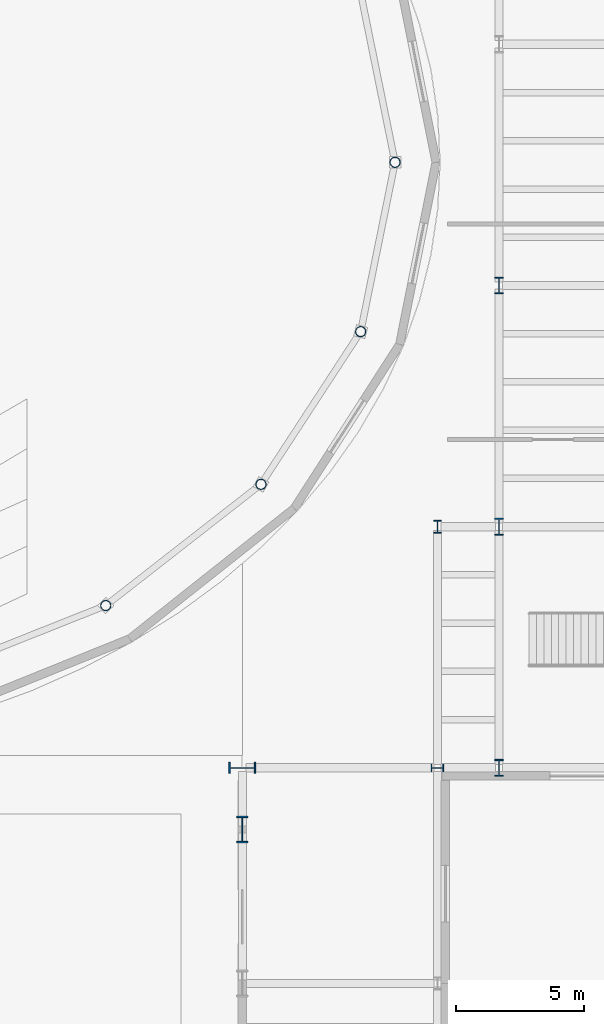
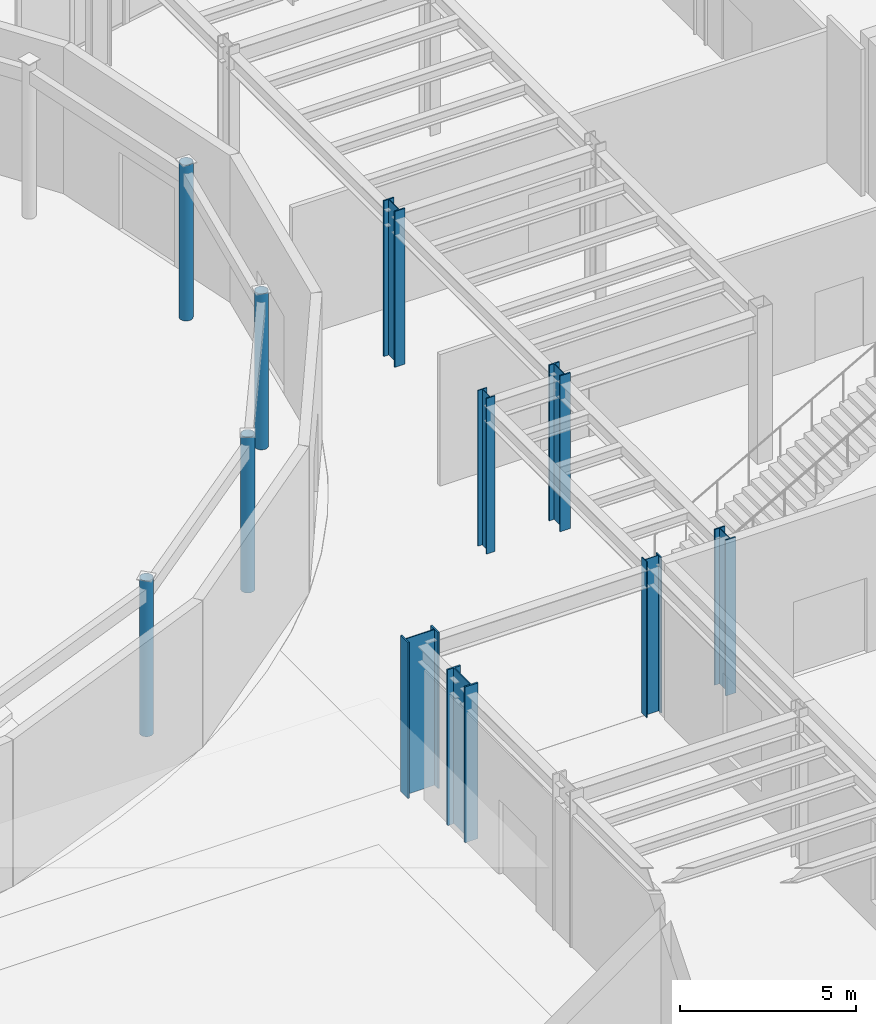
# One storey, part 8 of 94: 11 columns.
"""IFC4 building model written with IfcOpenShell, lengths in metres."""

from ifc_helpers import new_model, si_unit, direction, frame, origin, origin_2d, place, context, subcontext, project, spatial, hollow_circle, i_section, extrude, material, material_profile, profile_set, type_object, element, save


model = new_model("IFC4")

# Units and contexts
model_context = context("Model", 3, precision=1e-05, world=origin(), true_north=direction((0.0, 1.0)))
body_context = subcontext(model_context, "Body", "Model", "MODEL_VIEW")
ifc_project = project(units=[si_unit("LENGTHUNIT", "METRE"), si_unit("AREAUNIT", "SQUARE_METRE"), si_unit("VOLUMEUNIT", "CUBIC_METRE"), si_unit("PLANEANGLEUNIT", "RADIAN"), si_unit("MASSUNIT", "GRAM", prefix="KILO")], contexts=[model_context])

# Site, building, storey
site_placement = place(None, origin())
site = spatial("IfcSite", under=ifc_project, at=site_placement, CompositionType="ELEMENT")
building_placement = place(site_placement, origin())
building = spatial("IfcBuilding", under=site, at=building_placement, Name="Sollismere Congress Hotel", CompositionType="ELEMENT")
storey_placement = place(building_placement, origin())
storey = spatial("IfcBuildingStorey", under=building, at=storey_placement, Name="L00", CompositionType="ELEMENT", Elevation=0.0)

# Columns
ifc_material_1 = material(Name="Steel ASTM A500 Grade C", Category="steel")
ifc_material_profile_1 = material_profile(ifc_material_1, hollow_circle(Radius=0.202880859375, WallThickness=0.01611328125, at=origin_2d()), Name="CHS406X16")
ifc_profile_set_1 = profile_set([ifc_material_profile_1], Name="Steel ASTM A500 Grade C")
column_type_1 = type_object("IfcColumnType", Name="COL-CHS406I", PredefinedType="COLUMN", material=ifc_profile_set_1)
for number, where, z_axis, x_axis, name in (
    (1, (56.35009765625, 90.39990234375, 0.0), (0.0, 0.0, 1.0), (1.0, 0.0, 0.0), "Column CL-L00-1148"),
    (2, (45.075927734375, 73.12744140625, 0.0), (0.0, 0.0, 1.0), (0.681359873953, -0.731948578909, 0.0), "Column CL-L00-1216"),
    (3, (51.126708984375, 77.850830078125, 0.0), (0.0, 0.0, 1.0), (0.869839554062, -0.493334724289, 0.0), "Column CL-L00-1220"),
    (4, (55.011474609375, 83.802490234375, 0.0), (0.0, 0.0, 1.0), (0.969316774365, -0.245814952628, 0.0), "Column CL-L00-1224"),
):
    element("IfcColumn", number, at=place(storey_placement, frame(where, z_axis=z_axis, x_axis=x_axis)), inside=storey, type_object=column_type_1, Name=name, PredefinedType="COLUMN", context=body_context, shape_type="SweptSolid", body=[
        extrude(hollow_circle(Radius=0.202880859375, WallThickness=0.01611328125, at=origin_2d()), origin(), (0.0, 0.0, 1.0), 5.39990234375),
    ])
ifc_material_2 = material(Name="Steel ASTM A992 Grade 50", Category="steel")
ifc_material_profile_2 = material_profile(ifc_material_2, i_section(OverallWidth=0.283935546875, OverallDepth=0.4951171875, WebThickness=0.0185546875, FlangeThickness=0.033447265625, at=origin_2d()), Name="W18X143")
ifc_profile_set_2 = profile_set([ifc_material_profile_2], Name="Steel ASTM A992 Grade 50")
column_type_2 = type_object("IfcColumnType", Name="COL-W18", PredefinedType="COLUMN", material=ifc_profile_set_2)
for number, where, z_axis, x_axis, name in (
    (5, (58.0, 66.800048828125, 0.0), (0.0, 0.0, 1.0), (0.0, 1.0, 0.0), "Column CL-L00-265"),
    (6, (58.0, 76.199951171875, 0.0), (0.0, 0.0, 1.0), (1.0, 0.0, 0.0), "Column CL-L00-269"),
):
    element("IfcColumn", number, at=place(storey_placement, frame(where, z_axis=z_axis, x_axis=x_axis)), inside=storey, type_object=column_type_2, Name=name, PredefinedType="COLUMN", context=body_context, shape_type="SweptSolid", body=[
        extrude(i_section(OverallWidth=0.283935546875, OverallDepth=0.4951171875, WebThickness=0.0185546875, FlangeThickness=0.033447265625, at=origin_2d()), origin(), (0.0, 0.0, 1.0), 5.39990234375),
    ])
ifc_material_profile_3 = material_profile(ifc_material_2, i_section(OverallWidth=0.3330078125, OverallDepth=0.659912109375, WebThickness=0.0244140625, FlangeThickness=0.0439453125, at=origin_2d()), Name="W24X229")
ifc_profile_set_3 = profile_set([ifc_material_profile_3], Name="Steel ASTM A992 Grade 50")
column_type_3 = type_object("IfcColumnType", Name="COL-W24", PredefinedType="COLUMN", material=ifc_profile_set_3)
for number, where, z_axis, x_axis, name in (
    (7, (60.39990234375, 66.800048828125, 0.0), (0.0, 0.0, 1.0), (1.0, 0.0, 0.0), "Column CL-L00-1058"),
    (8, (60.39990234375, 76.199951171875, 0.0), (0.0, 0.0, 1.0), (1.0, 0.0, 0.0), "Column CL-L00-1064"),
    (9, (60.39990234375, 85.60009765625, 0.0), (0.0, 0.0, 1.0), (1.0, 0.0, 0.0), "Column CL-L00-1070"),
):
    element("IfcColumn", number, at=place(storey_placement, frame(where, z_axis=z_axis, x_axis=x_axis)), inside=storey, type_object=column_type_3, Name=name, PredefinedType="COLUMN", context=body_context, shape_type="SweptSolid", body=[
        extrude(i_section(OverallWidth=0.3330078125, OverallDepth=0.659912109375, WebThickness=0.0244140625, FlangeThickness=0.0439453125, at=origin_2d()), origin(), (0.0, 0.0, 1.0), 5.39990234375),
    ])
ifc_material_profile_4 = material_profile(ifc_material_2, i_section(OverallWidth=0.427001953125, OverallDepth=1.041015625, WebThickness=0.031005859375, FlangeThickness=0.055908203125, at=origin_2d()), Name="W40X397")
ifc_profile_set_4 = profile_set([ifc_material_profile_4], Name="Steel ASTM A992 Grade 50")
column_type_4 = type_object("IfcColumnType", Name="COL-W40", PredefinedType="COLUMN", material=ifc_profile_set_4)
for number, where, z_axis, x_axis, name in (
    (10, (50.39990234375, 66.800048828125, 0.0), (0.0, 0.0, 1.0), (0.0, 1.0, 0.0), "Column CL-L00-222"),
    (11, (50.39990234375, 64.39990234375, 0.0), (0.0, 0.0, 1.0), (1.0, 0.0, 0.0), "Column CL-L00-1144"),
):
    element("IfcColumn", number, at=place(storey_placement, frame(where, z_axis=z_axis, x_axis=x_axis)), inside=storey, type_object=column_type_4, Name=name, PredefinedType="COLUMN", context=body_context, shape_type="SweptSolid", body=[
        extrude(i_section(OverallWidth=0.427001953125, OverallDepth=1.041015625, WebThickness=0.031005859375, FlangeThickness=0.055908203125, at=origin_2d()), origin(), (0.0, 0.0, 1.0), 5.39990234375),
    ])

save(model, "model.ifc")
